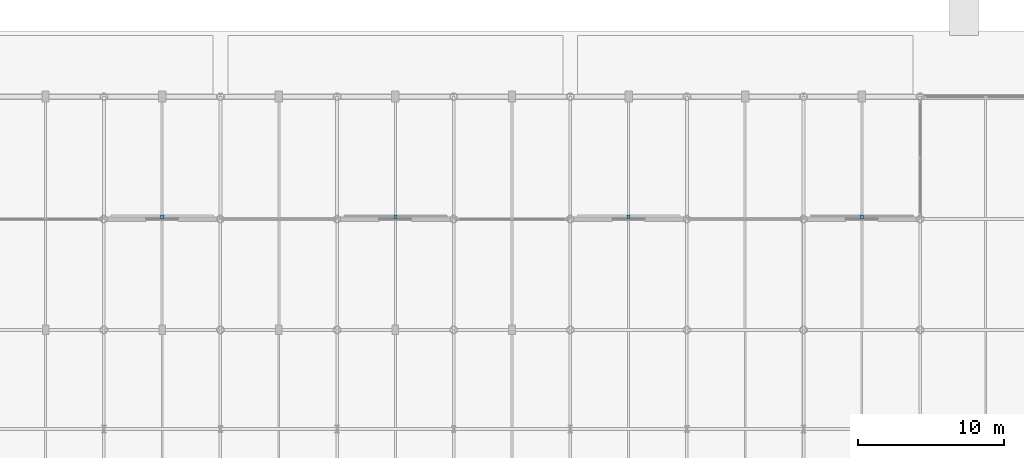
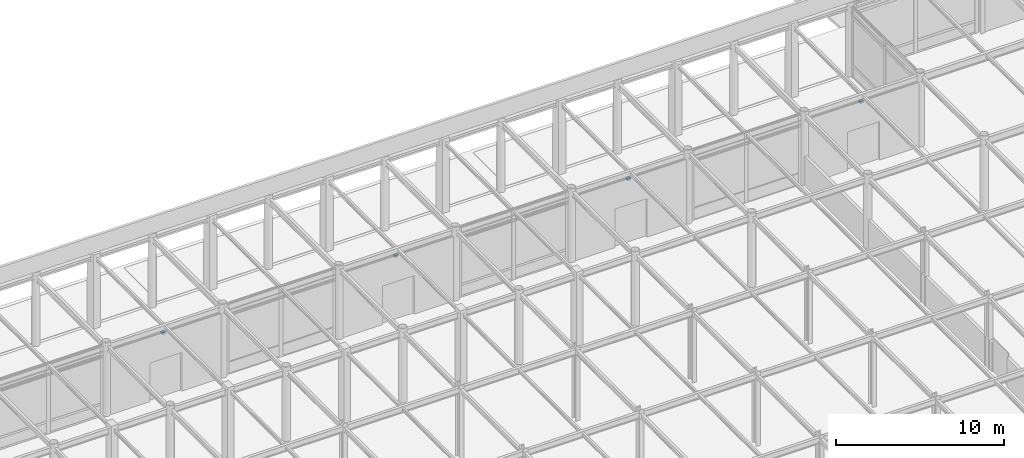
# One storey, part 79 of 89: 4 discrete accessories.
"""IFC4 building model written with IfcOpenShell, lengths in metres."""

from ifc_helpers import new_model, si_unit, direction, frame, origin, origin_2d, place, context, subcontext, project, spatial, rectangle, extrude, material, type_object, element, save


model = new_model("IFC4")

# Units and contexts
model_context = context("Model", 3, precision=1e-05, world=origin(), true_north=direction((0.0, 1.0)))
body_context = subcontext(model_context, "Body", "Model", "MODEL_VIEW")
ifc_project = project(units=[si_unit("LENGTHUNIT", "METRE"), si_unit("AREAUNIT", "SQUARE_METRE"), si_unit("VOLUMEUNIT", "CUBIC_METRE"), si_unit("PLANEANGLEUNIT", "RADIAN"), si_unit("MASSUNIT", "GRAM", prefix="KILO")], contexts=[model_context])

# Site, building, storey
site_placement = place(None, origin())
site = spatial("IfcSite", under=ifc_project, at=site_placement, CompositionType="ELEMENT")
building_placement = place(site_placement, origin())
building = spatial("IfcBuilding", under=site, at=building_placement, Name="Shalkamar Park Central Library", CompositionType="ELEMENT")
storey_placement = place(building_placement, origin())
storey = spatial("IfcBuildingStorey", under=building, at=storey_placement, Name="L01", CompositionType="ELEMENT", Elevation=0.0)

# Discrete accessories
ifc_material = material(Name="Steel S355", Category="steel")
discrete_accessory_type = type_object("IfcDiscreteAccessoryType", Name="Stainless Facade Bracket", PredefinedType="BRACKET", material=ifc_material)
for number, where, z_axis, x_axis, name in (
    (1, (185.0, 345.760009765625, 4.3828125), (0.0, 0.0, 1.0), (1.0, 0.0, 0.0), "Frieze Fixing Bracket L01-010"),
    (2, (201.0, 345.760009765625, 4.3828125), (0.0, 0.0, 1.0), (1.0, 0.0, 0.0), "Frieze Fixing Bracket L01-011"),
    (3, (217.0, 345.760009765625, 4.3828125), (0.0, 0.0, 1.0), (1.0, 0.0, 0.0), "Frieze Fixing Bracket L01-012"),
    (4, (233.0, 345.760009765625, 4.3828125), (0.0, 0.0, 1.0), (1.0, 0.0, 0.0), "Frieze Fixing Bracket L01-013"),
):
    element("IfcDiscreteAccessory", number, at=place(storey_placement, frame(where, z_axis=z_axis, x_axis=x_axis)), inside=storey, type_object=discrete_accessory_type, Name=name, PredefinedType="BRACKET", context=body_context, shape_type="SweptSolid", body=[
        extrude(rectangle(XDim=0.219970703125, YDim=0.219970703125, at=origin_2d()), origin(), (0.0, 0.0, 1.0), 0.159912109375),
    ])

save(model, "model.ifc")
